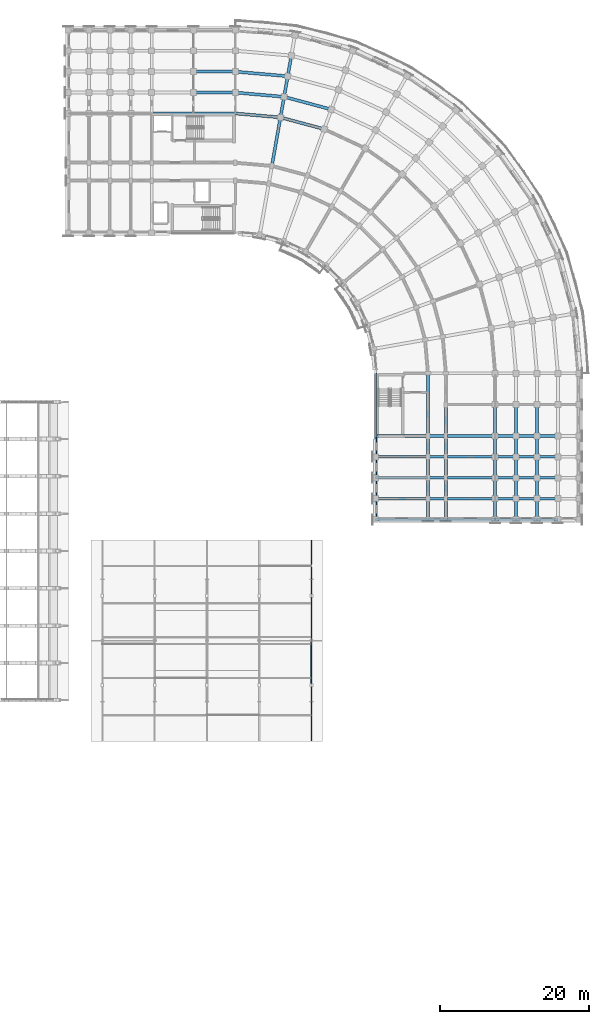
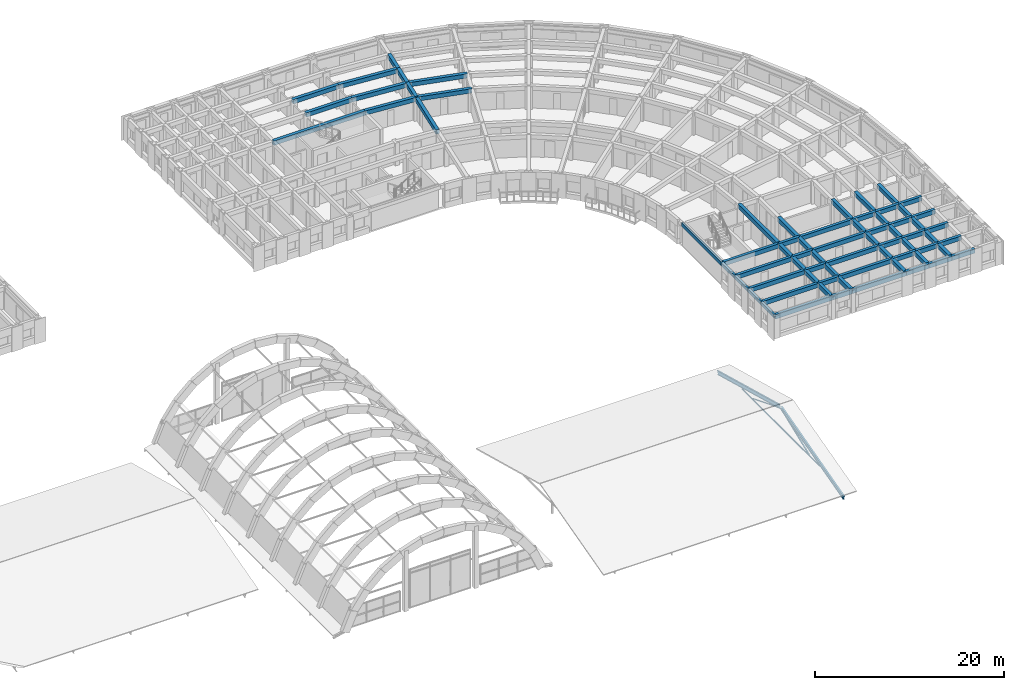
# One storey, part 23 of 76: 74 beams, 3 members.
"""IFC4 building model written with IfcOpenShell, lengths in metres."""

import ifcopenshell
import ifcopenshell.guid

model = None  # the IFC model being written
_history = None  # IfcOwnerHistory: only IFC2X3 demands one
_inside = {}  # id of a spatial element -> (the spatial element, [elements in it])
_under = {}  # id of a project, library or spatial element -> (it, [spatial elements below it])
_declared = {}  # id of a project -> (the project, [libraries it declares])
_typed = {}  # id of a type object -> (the type object, [elements of that type])
_made_of = {}  # id of a material, layer set ... -> (it, [elements and type objects made of it])


def new_model(schema):
    """Start an empty IFC model of exactly this schema.

    Asked for "IFC4X3", IfcOpenShell would pick the latest addendum, in which some entities
    have other attributes; the version numbers below select the first issue.
    IFC2X3 requires an IfcOwnerHistory on every rooted entity: one is made here for all.
    """
    global model, _history
    if schema == "IFC4X3":
        model = ifcopenshell.file(schema_version=(4, 3, 0, 0))
    else:
        model = ifcopenshell.file(schema=schema)
    _inside.clear()
    _under.clear()
    _declared.clear()
    _typed.clear()
    _made_of.clear()
    _history = None
    if model.schema == "IFC2X3":
        org = make("IfcOrganization", Name="unknown")
        user = make(
            "IfcPersonAndOrganization",
            ThePerson=make("IfcPerson", FamilyName="unknown"),
            TheOrganization=org,
        )
        app = make(
            "IfcApplication",
            ApplicationDeveloper=org,
            Version="unknown",
            ApplicationFullName="unknown",
            ApplicationIdentifier="unknown",
        )
        _history = make(
            "IfcOwnerHistory",
            OwningUser=user,
            OwningApplication=app,
            ChangeAction="ADDED",
            CreationDate=0,
        )
    return model


def make(cls, **values):
    """One entity of the class cls with the attributes given. An attribute that is None is left unset."""
    return model.create_entity(
        cls, **{name: value for name, value in values.items() if value is not None}
    )


def rooted(cls, **values):
    """An entity with a GlobalId (a new one), such as an element, a storey or a relation."""
    return make(cls, GlobalId=ifcopenshell.guid.new(), OwnerHistory=_history, **values)


def si_unit(unit_type, name, prefix=None):
    """IfcSIUnit, for example si_unit("LENGTHUNIT", "METRE", prefix="MILLI")."""
    return make("IfcSIUnit", UnitType=unit_type, Prefix=prefix, Name=name)


def assignment(units):
    """IfcUnitAssignment: the units of a project."""
    return None if units is None else make("IfcUnitAssignment", Units=units)


def point(xyz):
    """IfcCartesianPoint."""
    return None if xyz is None else make("IfcCartesianPoint", Coordinates=xyz)


def direction(xyz):
    """IfcDirection."""
    return None if xyz is None else make("IfcDirection", DirectionRatios=xyz)


def frame(location, z_axis=None, x_axis=None):
    """IfcAxis2Placement3D, a coordinate frame: its origin and axes. An axis left out is left unset."""
    return make(
        "IfcAxis2Placement3D",
        Location=point(location),
        Axis=direction(z_axis),
        RefDirection=direction(x_axis),
    )


def frame_2d(location, x_axis=None):
    """IfcAxis2Placement2D, a coordinate frame in the plane: its origin and x axis."""
    return make(
        "IfcAxis2Placement2D", Location=point(location), RefDirection=direction(x_axis)
    )


def origin():
    """The frame at (0, 0, 0) with its axes left unset."""
    return frame((0.0, 0.0, 0.0))


def origin_2d():
    """The frame at (0, 0) in the plane with its x axis left unset."""
    return frame_2d((0.0, 0.0))


def place(relative_to, where):
    """IfcLocalPlacement: puts the frame where relative to a parent placement (None: the world)."""
    return make(
        "IfcLocalPlacement", PlacementRelTo=relative_to, RelativePlacement=where
    )


def context(
    kind, dimensions, precision=None, world=None, true_north=None, identifier=None
):
    """IfcGeometricRepresentationContext, for example the 3D "Model" context."""
    return make(
        "IfcGeometricRepresentationContext",
        ContextIdentifier=identifier,
        ContextType=kind,
        CoordinateSpaceDimension=dimensions,
        Precision=precision,
        WorldCoordinateSystem=world,
        TrueNorth=true_north,
    )


def subcontext(parent, identifier, kind, view, scale=None):
    """IfcGeometricRepresentationSubContext, for example "Body" below "Model"."""
    return make(
        "IfcGeometricRepresentationSubContext",
        ContextIdentifier=identifier,
        ContextType=kind,
        ParentContext=parent,
        TargetScale=scale,
        TargetView=view,
    )


def project(units=None, contexts=None):
    """IfcProject with its units and contexts."""
    return rooted(
        "IfcProject",
        Name="project",
        RepresentationContexts=contexts,
        UnitsInContext=assignment(units),
    )


def spatial(cls, under=None, at=None, **own):
    """A site, building, storey or space (cls), placed at a placement, below another one or the project."""
    s = rooted(cls, ObjectPlacement=at, **own)
    if under is not None:
        _under.setdefault(under.id(), (under, []))[1].append(s)
    return s


def profile(cls, at=None, kind="AREA", **sizes):
    """A parametric profile (cls). Its sizes go by their IFC names, for example OverallWidth=200.0."""
    return make(cls, ProfileType=kind, Position=at, **sizes)


def rectangle(**sizes):
    """IfcRectangleProfileDef."""
    return profile("IfcRectangleProfileDef", **sizes)


def hollow_rectangle(**sizes):
    """IfcRectangleHollowProfileDef."""
    return profile("IfcRectangleHollowProfileDef", **sizes)


def hollow_circle(**sizes):
    """IfcCircleHollowProfileDef."""
    return profile("IfcCircleHollowProfileDef", **sizes)


def i_section(**sizes):
    """IfcIShapeProfileDef."""
    return profile("IfcIShapeProfileDef", **sizes)


def extrude(swept, where, along, depth):
    """IfcExtrudedAreaSolid: the profile swept, set in the frame where, extruded along a direction by depth."""
    return make(
        "IfcExtrudedAreaSolid",
        SweptArea=swept,
        Position=where,
        ExtrudedDirection=direction(along),
        Depth=depth,
    )


def shape(context_of_items, identifier, shape_type, items):
    """IfcShapeRepresentation: the items that make up one representation, for example the "Body"."""
    return make(
        "IfcShapeRepresentation",
        ContextOfItems=context_of_items,
        RepresentationIdentifier=identifier,
        RepresentationType=shape_type,
        Items=items,
    )


def material(Name=None, Category=None):
    """IfcMaterial."""
    return make("IfcMaterial", Name=Name, Category=Category)


def material_profile(
    of_material, cross_section, Name=None, Category=None, Priority=None
):
    """IfcMaterialProfile: a cross section and its material."""
    return make(
        "IfcMaterialProfile",
        Name=Name,
        Material=of_material,
        Profile=cross_section,
        Priority=Priority,
        Category=Category,
    )


def profile_set(profiles, Name=None, composite=None):
    """IfcMaterialProfileSet."""
    return make(
        "IfcMaterialProfileSet",
        Name=Name,
        MaterialProfiles=profiles,
        CompositeProfile=composite,
    )


def made_of(thing, what):
    """Note that an element or type object is made of a material, layer set ...; save() writes the relation."""
    if what is not None:
        _made_of.setdefault(what.id(), (what, []))[1].append(thing)
    return thing


def type_object(cls, material=None, **own):
    """A type object (cls), such as IfcWallType, which elements share."""
    return made_of(rooted(cls, **own), material)


def element(
    cls,
    number,
    at=None,
    inside=None,
    cuts=None,
    type_object=None,
    material=None,
    context=None,
    identifier="Body",
    shape_type=None,
    held_by="IfcProductDefinitionShape",
    body=None,
    shapes=None,
    **own,
):
    """One element of the class cls, such as IfcWall. Its Tag is "e" and its number.

    at: its placement. inside: the storey or other place that contains it. cuts: it is an
    opening in that element (IfcRelVoidsElement). A single representation is given by context,
    identifier, shape_type and body (its items); several are given by shapes. held_by: the class
    of the entity that holds the representations. save() writes the other relations.
    """
    e = rooted(cls, Tag="e%d" % number, ObjectPlacement=at, **own)
    if body is not None:
        shapes = [shape(context, identifier, shape_type, body)]
    if shapes is not None:
        e.Representation = make(held_by, Representations=shapes)
    if inside is not None:
        _inside.setdefault(inside.id(), (inside, []))[1].append(e)
    if cuts is not None:
        rooted(
            "IfcRelVoidsElement", RelatingBuildingElement=cuts, RelatedOpeningElement=e
        )
    if type_object is not None:
        _typed.setdefault(type_object.id(), (type_object, []))[1].append(e)
    return made_of(e, material)


def aggregate(whole, parts):
    """IfcRelAggregates: a whole, such as a stair, and the parts it consists of."""
    return rooted("IfcRelAggregates", RelatingObject=whole, RelatedObjects=parts)


def save(model, path):
    """Write the relations noted so far, then the file.

    IfcRelAggregates (storeys below a building ...), IfcRelContainedInSpatialStructure (elements
    in a storey), IfcRelDefinesByType, IfcRelAssociatesMaterial and IfcRelDeclares: one each for
    every whole, place, type object, material and project.
    """
    for whole, parts in _under.values():
        aggregate(whole, parts)
    for where, things in _inside.values():
        rooted(
            "IfcRelContainedInSpatialStructure",
            RelatedElements=things,
            RelatingStructure=where,
        )
    for kind, things in _typed.values():
        rooted("IfcRelDefinesByType", RelatedObjects=things, RelatingType=kind)
    for what, things in _made_of.values():
        rooted("IfcRelAssociatesMaterial", RelatedObjects=things, RelatingMaterial=what)
    for by, libraries in _declared.values():
        rooted("IfcRelDeclares", RelatingContext=by, RelatedDefinitions=libraries)
    model.write(path)


model = new_model("IFC4")

# Units and contexts
model_context = context("Model", 3, precision=1e-05, world=origin(), true_north=direction((0.0, 1.0)))
body_context = subcontext(model_context, "Body", "Model", "MODEL_VIEW")
ifc_project = project(units=[si_unit("LENGTHUNIT", "METRE"), si_unit("AREAUNIT", "SQUARE_METRE"), si_unit("VOLUMEUNIT", "CUBIC_METRE"), si_unit("PLANEANGLEUNIT", "RADIAN"), si_unit("MASSUNIT", "GRAM", prefix="KILO")], contexts=[model_context])

# Site, building, storey
site_placement = place(None, origin())
site = spatial("IfcSite", under=ifc_project, at=site_placement, CompositionType="ELEMENT")
building_placement = place(site_placement, origin())
building = spatial("IfcBuilding", under=site, at=building_placement, Name="Kiranvali Square Residences", CompositionType="ELEMENT")
storey_placement = place(building_placement, frame((0.0, 0.0, 8.699951171875)))
storey = spatial("IfcBuildingStorey", under=building, at=storey_placement, Name="L02", CompositionType="ELEMENT", Elevation=8.699951171875)

# Beams
ifc_material_1 = material(Name="Concrete M40 (40 MPa)", Category="concrete")
ifc_material_profile_1 = material_profile(ifc_material_1, rectangle(XDim=0.35009765625, YDim=0.550048828125, at=origin_2d()), Name="RC 350x550")
ifc_profile_set_1 = profile_set([ifc_material_profile_1], Name="Concrete M40 (40 MPa)")
beam_type_1 = type_object("IfcBeamType", Name="BM-M40-350x550", PredefinedType="BEAM", material=ifc_profile_set_1)
beam_1_placement = place(storey_placement, frame((138.60009765625, 79.39990234375, 2.655029296875), z_axis=(1.0, 0.0, 0.0), x_axis=(0.0, 1.0, 0.0)))
element("IfcBeam", 1, at=beam_1_placement, inside=storey, type_object=beam_type_1, Name="L02 beam BM-B-L02-A2T1-01", PredefinedType="BEAM", context=body_context, shape_type="SweptSolid", body=[
    extrude(rectangle(XDim=0.35009765625, YDim=0.550048828125, at=origin_2d()), origin(), (0.0, 0.0, 1.0), 7.0),
])
beam_2_placement = place(storey_placement, frame((145.60009765625, 79.39990234375, 2.655029296875), z_axis=(1.0, 0.0, 0.0), x_axis=(0.0, 1.0, 0.0)))
element("IfcBeam", 2, at=beam_2_placement, inside=storey, type_object=beam_type_1, Name="L02 beam BM-B-L02-A2T1-12", PredefinedType="BEAM", context=body_context, shape_type="SweptSolid", body=[
    extrude(rectangle(XDim=0.35009765625, YDim=0.550048828125, at=origin_2d()), origin(), (0.0, 0.0, 1.0), 2.39990234375),
])
beam_3_placement = place(storey_placement, frame((148.0, 79.39990234375, 2.655029296875), z_axis=(1.0, 0.0, 0.0), x_axis=(0.0, 1.0, 0.0)))
element("IfcBeam", 3, at=beam_3_placement, inside=storey, type_object=beam_type_1, Name="L02 beam BM-B-L02-A2T1-23", PredefinedType="BEAM", context=body_context, shape_type="SweptSolid", body=[
    extrude(rectangle(XDim=0.35009765625, YDim=0.550048828125, at=origin_2d()), origin(), (0.0, 0.0, 1.0), 6.60009765625),
])
beam_4_placement = place(storey_placement, frame((154.60009765625, 79.39990234375, 2.655029296875), z_axis=(1.0, 0.0, 0.0), x_axis=(0.0, 1.0, 0.0)))
element("IfcBeam", 4, at=beam_4_placement, inside=storey, type_object=beam_type_1, Name="L02 beam BM-B-L02-A2T1-34", PredefinedType="BEAM", context=body_context, shape_type="SweptSolid", body=[
    extrude(rectangle(XDim=0.35009765625, YDim=0.550048828125, at=origin_2d()), origin(), (0.0, 0.0, 1.0), 2.7998046875),
])
for number, where, z_axis, x_axis, name in (
    (5, (157.39990234375, 79.39990234375, 2.655029296875), (1.0, 0.0, 0.0), (0.0, 1.0, 0.0), "L02 beam BM-B-L02-A2T1-45"),
    (6, (160.199951171875, 79.39990234375, 2.655029296875), (1.0, 0.0, 0.0), (0.0, 1.0, 0.0), "L02 beam BM-B-L02-A2T1-56"),
):
    element("IfcBeam", number, at=place(storey_placement, frame(where, z_axis=z_axis, x_axis=x_axis)), inside=storey, type_object=beam_type_1, Name=name, PredefinedType="BEAM", context=body_context, shape_type="SweptSolid", body=[
        extrude(rectangle(XDim=0.35009765625, YDim=0.550048828125, at=origin_2d()), origin(), (0.0, 0.0, 1.0), 2.800048828125),
    ])
beam_5_placement = place(storey_placement, frame((138.60009765625, 76.60009765625, 2.655029296875), z_axis=(1.0, 0.0, 0.0), x_axis=(0.0, 1.0, 0.0)))
element("IfcBeam", 7, at=beam_5_placement, inside=storey, type_object=beam_type_1, Name="L02 beam BM-B-L02-A2T2-01", PredefinedType="BEAM", context=body_context, shape_type="SweptSolid", body=[
    extrude(rectangle(XDim=0.35009765625, YDim=0.550048828125, at=origin_2d()), origin(), (0.0, 0.0, 1.0), 7.0),
])
beam_6_placement = place(storey_placement, frame((145.60009765625, 76.60009765625, 2.655029296875), z_axis=(1.0, 0.0, 0.0), x_axis=(0.0, 1.0, 0.0)))
element("IfcBeam", 8, at=beam_6_placement, inside=storey, type_object=beam_type_1, Name="L02 beam BM-B-L02-A2T2-12", PredefinedType="BEAM", context=body_context, shape_type="SweptSolid", body=[
    extrude(rectangle(XDim=0.35009765625, YDim=0.550048828125, at=origin_2d()), origin(), (0.0, 0.0, 1.0), 2.39990234375),
])
beam_7_placement = place(storey_placement, frame((148.0, 76.60009765625, 2.655029296875), z_axis=(1.0, 0.0, 0.0), x_axis=(0.0, 1.0, 0.0)))
element("IfcBeam", 9, at=beam_7_placement, inside=storey, type_object=beam_type_1, Name="L02 beam BM-B-L02-A2T2-23", PredefinedType="BEAM", context=body_context, shape_type="SweptSolid", body=[
    extrude(rectangle(XDim=0.35009765625, YDim=0.550048828125, at=origin_2d()), origin(), (0.0, 0.0, 1.0), 6.60009765625),
])
beam_8_placement = place(storey_placement, frame((154.60009765625, 76.60009765625, 2.655029296875), z_axis=(1.0, 0.0, 0.0), x_axis=(0.0, 1.0, 0.0)))
element("IfcBeam", 10, at=beam_8_placement, inside=storey, type_object=beam_type_1, Name="L02 beam BM-B-L02-A2T2-34", PredefinedType="BEAM", context=body_context, shape_type="SweptSolid", body=[
    extrude(rectangle(XDim=0.35009765625, YDim=0.550048828125, at=origin_2d()), origin(), (0.0, 0.0, 1.0), 2.7998046875),
])
for number, where, z_axis, x_axis, name in (
    (11, (157.39990234375, 76.60009765625, 2.655029296875), (1.0, 0.0, 0.0), (0.0, 1.0, 0.0), "L02 beam BM-B-L02-A2T2-45"),
    (12, (160.199951171875, 76.60009765625, 2.655029296875), (1.0, 0.0, 0.0), (0.0, 1.0, 0.0), "L02 beam BM-B-L02-A2T2-56"),
):
    element("IfcBeam", number, at=place(storey_placement, frame(where, z_axis=z_axis, x_axis=x_axis)), inside=storey, type_object=beam_type_1, Name=name, PredefinedType="BEAM", context=body_context, shape_type="SweptSolid", body=[
        extrude(rectangle(XDim=0.35009765625, YDim=0.550048828125, at=origin_2d()), origin(), (0.0, 0.0, 1.0), 2.800048828125),
    ])
beam_9_placement = place(storey_placement, frame((138.60009765625, 73.800048828125, 2.655029296875), z_axis=(1.0, 0.0, 0.0), x_axis=(0.0, 1.0, 0.0)))
element("IfcBeam", 13, at=beam_9_placement, inside=storey, type_object=beam_type_1, Name="L02 beam BM-B-L02-A2T3-01", PredefinedType="BEAM", context=body_context, shape_type="SweptSolid", body=[
    extrude(rectangle(XDim=0.35009765625, YDim=0.550048828125, at=origin_2d()), origin(), (0.0, 0.0, 1.0), 7.0),
])
beam_10_placement = place(storey_placement, frame((145.60009765625, 73.800048828125, 2.655029296875), z_axis=(1.0, 0.0, 0.0), x_axis=(0.0, 1.0, 0.0)))
element("IfcBeam", 14, at=beam_10_placement, inside=storey, type_object=beam_type_1, Name="L02 beam BM-B-L02-A2T3-12", PredefinedType="BEAM", context=body_context, shape_type="SweptSolid", body=[
    extrude(rectangle(XDim=0.35009765625, YDim=0.550048828125, at=origin_2d()), origin(), (0.0, 0.0, 1.0), 2.39990234375),
])
beam_11_placement = place(storey_placement, frame((148.0, 73.800048828125, 2.655029296875), z_axis=(1.0, 0.0, 0.0), x_axis=(0.0, 1.0, 0.0)))
element("IfcBeam", 15, at=beam_11_placement, inside=storey, type_object=beam_type_1, Name="L02 beam BM-B-L02-A2T3-23", PredefinedType="BEAM", context=body_context, shape_type="SweptSolid", body=[
    extrude(rectangle(XDim=0.35009765625, YDim=0.550048828125, at=origin_2d()), origin(), (0.0, 0.0, 1.0), 6.60009765625),
])
beam_12_placement = place(storey_placement, frame((154.60009765625, 73.800048828125, 2.655029296875), z_axis=(1.0, 0.0, 0.0), x_axis=(0.0, 1.0, 0.0)))
element("IfcBeam", 16, at=beam_12_placement, inside=storey, type_object=beam_type_1, Name="L02 beam BM-B-L02-A2T3-34", PredefinedType="BEAM", context=body_context, shape_type="SweptSolid", body=[
    extrude(rectangle(XDim=0.35009765625, YDim=0.550048828125, at=origin_2d()), origin(), (0.0, 0.0, 1.0), 2.7998046875),
])
for number, where, z_axis, x_axis, name in (
    (17, (157.39990234375, 73.800048828125, 2.655029296875), (1.0, 0.0, 0.0), (0.0, 1.0, 0.0), "L02 beam BM-B-L02-A2T3-45"),
    (18, (160.199951171875, 73.800048828125, 2.655029296875), (1.0, 0.0, 0.0), (0.0, 1.0, 0.0), "L02 beam BM-B-L02-A2T3-56"),
):
    element("IfcBeam", number, at=place(storey_placement, frame(where, z_axis=z_axis, x_axis=x_axis)), inside=storey, type_object=beam_type_1, Name=name, PredefinedType="BEAM", context=body_context, shape_type="SweptSolid", body=[
        extrude(rectangle(XDim=0.35009765625, YDim=0.550048828125, at=origin_2d()), origin(), (0.0, 0.0, 1.0), 2.800048828125),
    ])
beam_13_placement = place(storey_placement, frame((138.60009765625, 71.0, 2.655029296875), z_axis=(1.0, 0.0, 0.0), x_axis=(0.0, 1.0, 0.0)))
element("IfcBeam", 19, at=beam_13_placement, inside=storey, type_object=beam_type_1, Name="L02 beam BM-B-L02-A2T4-01", PredefinedType="BEAM", context=body_context, shape_type="SweptSolid", body=[
    extrude(rectangle(XDim=0.35009765625, YDim=0.550048828125, at=origin_2d()), origin(), (0.0, 0.0, 1.0), 7.0),
])
beam_14_placement = place(storey_placement, frame((145.60009765625, 71.0, 2.655029296875), z_axis=(1.0, 0.0, 0.0), x_axis=(0.0, 1.0, 0.0)))
element("IfcBeam", 20, at=beam_14_placement, inside=storey, type_object=beam_type_1, Name="L02 beam BM-B-L02-A2T4-12", PredefinedType="BEAM", context=body_context, shape_type="SweptSolid", body=[
    extrude(rectangle(XDim=0.35009765625, YDim=0.550048828125, at=origin_2d()), origin(), (0.0, 0.0, 1.0), 2.39990234375),
])
beam_15_placement = place(storey_placement, frame((148.0, 71.0, 2.655029296875), z_axis=(1.0, 0.0, 0.0), x_axis=(0.0, 1.0, 0.0)))
element("IfcBeam", 21, at=beam_15_placement, inside=storey, type_object=beam_type_1, Name="L02 beam BM-B-L02-A2T4-23", PredefinedType="BEAM", context=body_context, shape_type="SweptSolid", body=[
    extrude(rectangle(XDim=0.35009765625, YDim=0.550048828125, at=origin_2d()), origin(), (0.0, 0.0, 1.0), 6.60009765625),
])
beam_16_placement = place(storey_placement, frame((154.60009765625, 71.0, 2.655029296875), z_axis=(1.0, 0.0, 0.0), x_axis=(0.0, 1.0, 0.0)))
element("IfcBeam", 22, at=beam_16_placement, inside=storey, type_object=beam_type_1, Name="L02 beam BM-B-L02-A2T4-34", PredefinedType="BEAM", context=body_context, shape_type="SweptSolid", body=[
    extrude(rectangle(XDim=0.35009765625, YDim=0.550048828125, at=origin_2d()), origin(), (0.0, 0.0, 1.0), 2.7998046875),
])
for number, where, z_axis, x_axis, name in (
    (23, (157.39990234375, 71.0, 2.655029296875), (1.0, 0.0, 0.0), (0.0, 1.0, 0.0), "L02 beam BM-B-L02-A2T4-45"),
    (24, (160.199951171875, 71.0, 2.655029296875), (1.0, 0.0, 0.0), (0.0, 1.0, 0.0), "L02 beam BM-B-L02-A2T4-56"),
):
    element("IfcBeam", number, at=place(storey_placement, frame(where, z_axis=z_axis, x_axis=x_axis)), inside=storey, type_object=beam_type_1, Name=name, PredefinedType="BEAM", context=body_context, shape_type="SweptSolid", body=[
        extrude(rectangle(XDim=0.35009765625, YDim=0.550048828125, at=origin_2d()), origin(), (0.0, 0.0, 1.0), 2.800048828125),
    ])
beam_17_placement = place(storey_placement, frame((138.60009765625, 68.199951171875, 2.655029296875), z_axis=(1.0, 0.0, 0.0), x_axis=(0.0, 1.0, 0.0)))
element("IfcBeam", 25, at=beam_17_placement, inside=storey, type_object=beam_type_1, Name="L02 beam BM-B-L02-A2T5-01", PredefinedType="BEAM", context=body_context, shape_type="SweptSolid", body=[
    extrude(rectangle(XDim=0.35009765625, YDim=0.550048828125, at=origin_2d()), origin(), (0.0, 0.0, 1.0), 7.0),
])
beam_18_placement = place(storey_placement, frame((145.60009765625, 68.199951171875, 2.655029296875), z_axis=(1.0, 0.0, 0.0), x_axis=(0.0, 1.0, 0.0)))
element("IfcBeam", 26, at=beam_18_placement, inside=storey, type_object=beam_type_1, Name="L02 beam BM-B-L02-A2T5-12", PredefinedType="BEAM", context=body_context, shape_type="SweptSolid", body=[
    extrude(rectangle(XDim=0.35009765625, YDim=0.550048828125, at=origin_2d()), origin(), (0.0, 0.0, 1.0), 2.39990234375),
])
beam_19_placement = place(storey_placement, frame((148.0, 68.199951171875, 2.655029296875), z_axis=(1.0, 0.0, 0.0), x_axis=(0.0, 1.0, 0.0)))
element("IfcBeam", 27, at=beam_19_placement, inside=storey, type_object=beam_type_1, Name="L02 beam BM-B-L02-A2T5-23", PredefinedType="BEAM", context=body_context, shape_type="SweptSolid", body=[
    extrude(rectangle(XDim=0.35009765625, YDim=0.550048828125, at=origin_2d()), origin(), (0.0, 0.0, 1.0), 6.60009765625),
])
beam_20_placement = place(storey_placement, frame((154.60009765625, 68.199951171875, 2.655029296875), z_axis=(1.0, 0.0, 0.0), x_axis=(0.0, 1.0, 0.0)))
element("IfcBeam", 28, at=beam_20_placement, inside=storey, type_object=beam_type_1, Name="L02 beam BM-B-L02-A2T5-34", PredefinedType="BEAM", context=body_context, shape_type="SweptSolid", body=[
    extrude(rectangle(XDim=0.35009765625, YDim=0.550048828125, at=origin_2d()), origin(), (0.0, 0.0, 1.0), 2.7998046875),
])
for number, where, z_axis, x_axis, name in (
    (29, (157.39990234375, 68.199951171875, 2.655029296875), (1.0, 0.0, 0.0), (0.0, 1.0, 0.0), "L02 beam BM-B-L02-A2T5-45"),
    (30, (160.199951171875, 68.199951171875, 2.655029296875), (1.0, 0.0, 0.0), (0.0, 1.0, 0.0), "L02 beam BM-B-L02-A2T5-56"),
):
    element("IfcBeam", number, at=place(storey_placement, frame(where, z_axis=z_axis, x_axis=x_axis)), inside=storey, type_object=beam_type_1, Name=name, PredefinedType="BEAM", context=body_context, shape_type="SweptSolid", body=[
        extrude(rectangle(XDim=0.35009765625, YDim=0.550048828125, at=origin_2d()), origin(), (0.0, 0.0, 1.0), 2.800048828125),
    ])
ifc_material_2 = material(Name="Concrete M45 (45 MPa)", Category="concrete")
ifc_material_profile_2 = material_profile(ifc_material_2, rectangle(XDim=0.39990234375, YDim=0.550048828125, at=origin_2d()), Name="RC 400x550")
ifc_profile_set_2 = profile_set([ifc_material_profile_2], Name="Concrete M45 (45 MPa)")
beam_type_2 = type_object("IfcBeamType", Name="BM-M45-400x550", PredefinedType="BEAM", material=ifc_profile_set_2)
beam_21_placement = place(storey_placement, frame((119.800048828125, 122.60009765625, 2.655029296875), z_axis=(0.996193018494, -0.087174938512, 0.0), x_axis=(0.087174938512, 0.996193018494, 0.0)))
element("IfcBeam", 31, at=beam_21_placement, inside=storey, type_object=beam_type_2, Name="L02 beam BM-B-L02-C00-R3", PredefinedType="BEAM", context=body_context, shape_type="SweptSolid", body=[
    extrude(rectangle(XDim=0.39990234375, YDim=0.550048828125, at=origin_2d()), origin(), (0.0, 0.0, 1.0), 6.066162109375),
])
beam_22_placement = place(storey_placement, frame((119.800048828125, 125.39990234375, 2.655029296875), z_axis=(0.996196991902, -0.0871295204, 0.0), x_axis=(0.0871295204, 0.996196991902, 0.0)))
element("IfcBeam", 32, at=beam_22_placement, inside=storey, type_object=beam_type_2, Name="L02 beam BM-B-L02-C00-R4", PredefinedType="BEAM", context=body_context, shape_type="SweptSolid", body=[
    extrude(rectangle(XDim=0.39990234375, YDim=0.550048828125, at=origin_2d()), origin(), (0.0, 0.0, 1.0), 6.553955078125),
])
beam_23_placement = place(storey_placement, frame((119.800048828125, 128.199951171875, 2.655029296875), z_axis=(0.996194658198, -0.087156198737, 0.0), x_axis=(0.087156198737, 0.996194658198, 0.0)))
element("IfcBeam", 33, at=beam_23_placement, inside=storey, type_object=beam_type_2, Name="L02 beam BM-B-L02-C00-R5", PredefinedType="BEAM", context=body_context, shape_type="SweptSolid", body=[
    extrude(rectangle(XDim=0.39990234375, YDim=0.550048828125, at=origin_2d()), origin(), (0.0, 0.0, 1.0), 7.042236328125),
])
beam_24_placement = place(storey_placement, frame((125.843017578125, 122.0712890625, 2.655029296875), z_axis=(0.965923618901, -0.258827283048, 0.0), x_axis=(0.258827283048, 0.965923618901, 0.0)))
element("IfcBeam", 34, at=beam_24_placement, inside=storey, type_object=beam_type_2, Name="L02 beam BM-B-L02-C01-R3", PredefinedType="BEAM", context=body_context, shape_type="SweptSolid", body=[
    extrude(rectangle(XDim=0.39990234375, YDim=0.550048828125, at=origin_2d()), origin(), (0.0, 0.0, 1.0), 6.066162109375),
])
beam_25_placement = place(storey_placement, frame((126.3291015625, 124.828857421875, 2.655029296875), z_axis=(0.965918287583, -0.258847178297, 0.0), x_axis=(0.258847178297, 0.965918287583, 0.0)))
element("IfcBeam", 35, at=beam_25_placement, inside=storey, type_object=beam_type_2, Name="L02 beam BM-B-L02-C01-R4", PredefinedType="BEAM", context=body_context, shape_type="SweptSolid", body=[
    extrude(rectangle(XDim=0.39990234375, YDim=0.550048828125, at=origin_2d()), origin(), (0.0, 0.0, 1.0), 6.55419921875),
])
beam_26_placement = place(storey_placement, frame((124.69677734375, 115.571533203125, 2.655029296875), z_axis=(0.173671381499, 0.984803661269, 0.0), x_axis=(-0.984803661269, 0.173671381499, 0.0)))
element("IfcBeam", 36, at=beam_26_placement, inside=storey, type_object=beam_type_2, Name="L02 beam BM-B-L02-RAD01-23", PredefinedType="BEAM", context=body_context, shape_type="SweptSolid", body=[
    extrude(rectangle(XDim=0.39990234375, YDim=0.550048828125, at=origin_2d()), origin(), (0.0, 0.0, 1.0), 6.60009765625),
])
beam_27_placement = place(storey_placement, frame((125.843017578125, 122.0712890625, 2.655029296875), z_axis=(0.173596320392, 0.984816895441, 0.0), x_axis=(-0.984816895441, 0.173596320392, 0.0)))
element("IfcBeam", 37, at=beam_27_placement, inside=storey, type_object=beam_type_2, Name="L02 beam BM-B-L02-RAD01-34", PredefinedType="BEAM", context=body_context, shape_type="SweptSolid", body=[
    extrude(rectangle(XDim=0.39990234375, YDim=0.550048828125, at=origin_2d()), origin(), (0.0, 0.0, 1.0), 2.800048828125),
])
beam_28_placement = place(storey_placement, frame((126.3291015625, 124.828857421875, 2.655029296875), z_axis=(0.173695795656, 0.984799355489, 0.0), x_axis=(-0.984799355489, 0.173695795656, 0.0)))
element("IfcBeam", 38, at=beam_28_placement, inside=storey, type_object=beam_type_2, Name="L02 beam BM-B-L02-RAD01-45", PredefinedType="BEAM", context=body_context, shape_type="SweptSolid", body=[
    extrude(rectangle(XDim=0.39990234375, YDim=0.550048828125, at=origin_2d()), origin(), (0.0, 0.0, 1.0), 2.7998046875),
])
beam_29_placement = place(storey_placement, frame((126.8154296875, 127.586181640625, 2.655029296875), z_axis=(0.173596320392, 0.984816895441, 0.0), x_axis=(-0.984816895441, 0.173596320392, 0.0)))
element("IfcBeam", 39, at=beam_29_placement, inside=storey, type_object=beam_type_2, Name="L02 beam BM-B-L02-RAD01-56", PredefinedType="BEAM", context=body_context, shape_type="SweptSolid", body=[
    extrude(rectangle(XDim=0.39990234375, YDim=0.550048828125, at=origin_2d()), origin(), (0.0, 0.0, 1.0), 2.800048828125),
])
beam_30_placement = place(storey_placement, frame((119.800048828125, 122.60009765625, 2.655029296875), z_axis=(-1.0, 0.0, 0.0), x_axis=(0.0, -1.0, 0.0)))
element("IfcBeam", 40, at=beam_30_placement, inside=storey, type_object=beam_type_2, Name="L02 beam BM-B-L02-A1U0-R3", PredefinedType="BEAM", context=body_context, shape_type="SweptSolid", body=[
    extrude(rectangle(XDim=0.39990234375, YDim=0.550048828125, at=origin_2d()), origin(), (0.0, 0.0, 1.0), 11.199951171875),
])
for number, where, z_axis, x_axis, name in (
    (41, (119.800048828125, 125.39990234375, 2.655029296875), (-1.0, 0.0, 0.0), (0.0, -1.0, 0.0), "L02 beam BM-B-L02-A1U0-R4"),
    (42, (119.800048828125, 128.199951171875, 2.655029296875), (-1.0, 0.0, 0.0), (0.0, -1.0, 0.0), "L02 beam BM-B-L02-A1U0-R5"),
):
    element("IfcBeam", number, at=place(storey_placement, frame(where, z_axis=z_axis, x_axis=x_axis)), inside=storey, type_object=beam_type_2, Name=name, PredefinedType="BEAM", context=body_context, shape_type="SweptSolid", body=[
        extrude(rectangle(XDim=0.39990234375, YDim=0.550048828125, at=origin_2d()), origin(), (0.0, 0.0, 1.0), 5.60009765625),
    ])
beam_31_placement = place(storey_placement, frame((145.60009765625, 87.800048828125, 2.655029296875), z_axis=(0.0, -1.0, 0.0), x_axis=(1.0, 0.0, 0.0)))
element("IfcBeam", 43, at=beam_31_placement, inside=storey, type_object=beam_type_2, Name="L02 beam BM-B-L02-A2V0-R1", PredefinedType="BEAM", context=body_context, shape_type="SweptSolid", body=[
    extrude(rectangle(XDim=0.39990234375, YDim=0.550048828125, at=origin_2d()), origin(), (0.0, 0.0, 1.0), 8.400146484375),
])
beam_32_placement = place(storey_placement, frame((145.60009765625, 79.39990234375, 2.655029296875), z_axis=(0.0, -1.0, 0.0), x_axis=(1.0, 0.0, 0.0)))
element("IfcBeam", 44, at=beam_32_placement, inside=storey, type_object=beam_type_2, Name="L02 beam BM-B-L02-A2V1-R1", PredefinedType="BEAM", context=body_context, shape_type="SweptSolid", body=[
    extrude(rectangle(XDim=0.39990234375, YDim=0.550048828125, at=origin_2d()), origin(), (0.0, 0.0, 1.0), 2.7998046875),
])
for number, where, z_axis, x_axis, name in (
    (45, (145.60009765625, 76.60009765625, 2.655029296875), (0.0, -1.0, 0.0), (1.0, 0.0, 0.0), "L02 beam BM-B-L02-A2V2-R1"),
    (46, (145.60009765625, 73.800048828125, 2.655029296875), (0.0, -1.0, 0.0), (1.0, 0.0, 0.0), "L02 beam BM-B-L02-A2V3-R1"),
    (47, (145.60009765625, 71.0, 2.655029296875), (0.0, -1.0, 0.0), (1.0, 0.0, 0.0), "L02 beam BM-B-L02-A2V4-R1"),
):
    element("IfcBeam", number, at=place(storey_placement, frame(where, z_axis=z_axis, x_axis=x_axis)), inside=storey, type_object=beam_type_2, Name=name, PredefinedType="BEAM", context=body_context, shape_type="SweptSolid", body=[
        extrude(rectangle(XDim=0.39990234375, YDim=0.550048828125, at=origin_2d()), origin(), (0.0, 0.0, 1.0), 2.800048828125),
    ])
beam_33_placement = place(storey_placement, frame((148.0, 83.60009765625, 2.655029296875), z_axis=(0.0, -1.0, 0.0), x_axis=(1.0, 0.0, 0.0)))
element("IfcBeam", 48, at=beam_33_placement, inside=storey, type_object=beam_type_2, Name="L02 beam BM-B-L02-A2V1-R2", PredefinedType="BEAM", context=body_context, shape_type="SweptSolid", body=[
    extrude(rectangle(XDim=0.39990234375, YDim=0.550048828125, at=origin_2d()), origin(), (0.0, 0.0, 1.0), 4.2001953125),
])
beam_34_placement = place(storey_placement, frame((148.0, 79.39990234375, 2.655029296875), z_axis=(0.0, -1.0, 0.0), x_axis=(1.0, 0.0, 0.0)))
element("IfcBeam", 49, at=beam_34_placement, inside=storey, type_object=beam_type_2, Name="L02 beam BM-B-L02-A2V2-R2", PredefinedType="BEAM", context=body_context, shape_type="SweptSolid", body=[
    extrude(rectangle(XDim=0.39990234375, YDim=0.550048828125, at=origin_2d()), origin(), (0.0, 0.0, 1.0), 2.7998046875),
])
for number, where, z_axis, x_axis, name in (
    (50, (148.0, 76.60009765625, 2.655029296875), (0.0, -1.0, 0.0), (1.0, 0.0, 0.0), "L02 beam BM-B-L02-A2V3-R2"),
    (51, (148.0, 73.800048828125, 2.655029296875), (0.0, -1.0, 0.0), (1.0, 0.0, 0.0), "L02 beam BM-B-L02-A2V4-R2"),
    (52, (148.0, 71.0, 2.655029296875), (0.0, -1.0, 0.0), (1.0, 0.0, 0.0), "L02 beam BM-B-L02-A2V5-R2"),
):
    element("IfcBeam", number, at=place(storey_placement, frame(where, z_axis=z_axis, x_axis=x_axis)), inside=storey, type_object=beam_type_2, Name=name, PredefinedType="BEAM", context=body_context, shape_type="SweptSolid", body=[
        extrude(rectangle(XDim=0.39990234375, YDim=0.550048828125, at=origin_2d()), origin(), (0.0, 0.0, 1.0), 2.800048828125),
    ])
beam_35_placement = place(storey_placement, frame((154.60009765625, 83.60009765625, 2.655029296875), z_axis=(0.0, -1.0, 0.0), x_axis=(1.0, 0.0, 0.0)))
element("IfcBeam", 53, at=beam_35_placement, inside=storey, type_object=beam_type_2, Name="L02 beam BM-B-L02-A2V1-R3", PredefinedType="BEAM", context=body_context, shape_type="SweptSolid", body=[
    extrude(rectangle(XDim=0.39990234375, YDim=0.550048828125, at=origin_2d()), origin(), (0.0, 0.0, 1.0), 4.2001953125),
])
beam_36_placement = place(storey_placement, frame((154.60009765625, 79.39990234375, 2.655029296875), z_axis=(0.0, -1.0, 0.0), x_axis=(1.0, 0.0, 0.0)))
element("IfcBeam", 54, at=beam_36_placement, inside=storey, type_object=beam_type_2, Name="L02 beam BM-B-L02-A2V2-R3", PredefinedType="BEAM", context=body_context, shape_type="SweptSolid", body=[
    extrude(rectangle(XDim=0.39990234375, YDim=0.550048828125, at=origin_2d()), origin(), (0.0, 0.0, 1.0), 2.7998046875),
])
for number, where, z_axis, x_axis, name in (
    (55, (154.60009765625, 76.60009765625, 2.655029296875), (0.0, -1.0, 0.0), (1.0, 0.0, 0.0), "L02 beam BM-B-L02-A2V3-R3"),
    (56, (154.60009765625, 73.800048828125, 2.655029296875), (0.0, -1.0, 0.0), (1.0, 0.0, 0.0), "L02 beam BM-B-L02-A2V4-R3"),
    (57, (154.60009765625, 71.0, 2.655029296875), (0.0, -1.0, 0.0), (1.0, 0.0, 0.0), "L02 beam BM-B-L02-A2V5-R3"),
):
    element("IfcBeam", number, at=place(storey_placement, frame(where, z_axis=z_axis, x_axis=x_axis)), inside=storey, type_object=beam_type_2, Name=name, PredefinedType="BEAM", context=body_context, shape_type="SweptSolid", body=[
        extrude(rectangle(XDim=0.39990234375, YDim=0.550048828125, at=origin_2d()), origin(), (0.0, 0.0, 1.0), 2.800048828125),
    ])
beam_37_placement = place(storey_placement, frame((157.39990234375, 83.60009765625, 2.655029296875), z_axis=(0.0, -1.0, 0.0), x_axis=(1.0, 0.0, 0.0)))
element("IfcBeam", 58, at=beam_37_placement, inside=storey, type_object=beam_type_2, Name="L02 beam BM-B-L02-A2V1-R4", PredefinedType="BEAM", context=body_context, shape_type="SweptSolid", body=[
    extrude(rectangle(XDim=0.39990234375, YDim=0.550048828125, at=origin_2d()), origin(), (0.0, 0.0, 1.0), 4.2001953125),
])
beam_38_placement = place(storey_placement, frame((157.39990234375, 79.39990234375, 2.655029296875), z_axis=(0.0, -1.0, 0.0), x_axis=(1.0, 0.0, 0.0)))
element("IfcBeam", 59, at=beam_38_placement, inside=storey, type_object=beam_type_2, Name="L02 beam BM-B-L02-A2V2-R4", PredefinedType="BEAM", context=body_context, shape_type="SweptSolid", body=[
    extrude(rectangle(XDim=0.39990234375, YDim=0.550048828125, at=origin_2d()), origin(), (0.0, 0.0, 1.0), 2.7998046875),
])
for number, where, z_axis, x_axis, name in (
    (60, (157.39990234375, 76.60009765625, 2.655029296875), (0.0, -1.0, 0.0), (1.0, 0.0, 0.0), "L02 beam BM-B-L02-A2V3-R4"),
    (61, (157.39990234375, 73.800048828125, 2.655029296875), (0.0, -1.0, 0.0), (1.0, 0.0, 0.0), "L02 beam BM-B-L02-A2V4-R4"),
    (62, (157.39990234375, 71.0, 2.655029296875), (0.0, -1.0, 0.0), (1.0, 0.0, 0.0), "L02 beam BM-B-L02-A2V5-R4"),
):
    element("IfcBeam", number, at=place(storey_placement, frame(where, z_axis=z_axis, x_axis=x_axis)), inside=storey, type_object=beam_type_2, Name=name, PredefinedType="BEAM", context=body_context, shape_type="SweptSolid", body=[
        extrude(rectangle(XDim=0.39990234375, YDim=0.550048828125, at=origin_2d()), origin(), (0.0, 0.0, 1.0), 2.800048828125),
    ])
beam_39_placement = place(storey_placement, frame((160.199951171875, 83.60009765625, 2.655029296875), z_axis=(0.0, -1.0, 0.0), x_axis=(1.0, 0.0, 0.0)))
element("IfcBeam", 63, at=beam_39_placement, inside=storey, type_object=beam_type_2, Name="L02 beam BM-B-L02-A2V1-R5", PredefinedType="BEAM", context=body_context, shape_type="SweptSolid", body=[
    extrude(rectangle(XDim=0.39990234375, YDim=0.550048828125, at=origin_2d()), origin(), (0.0, 0.0, 1.0), 4.2001953125),
])
beam_40_placement = place(storey_placement, frame((160.199951171875, 79.39990234375, 2.655029296875), z_axis=(0.0, -1.0, 0.0), x_axis=(1.0, 0.0, 0.0)))
element("IfcBeam", 64, at=beam_40_placement, inside=storey, type_object=beam_type_2, Name="L02 beam BM-B-L02-A2V2-R5", PredefinedType="BEAM", context=body_context, shape_type="SweptSolid", body=[
    extrude(rectangle(XDim=0.39990234375, YDim=0.550048828125, at=origin_2d()), origin(), (0.0, 0.0, 1.0), 2.7998046875),
])
for number, where, z_axis, x_axis, name in (
    (65, (160.199951171875, 76.60009765625, 2.655029296875), (0.0, -1.0, 0.0), (1.0, 0.0, 0.0), "L02 beam BM-B-L02-A2V3-R5"),
    (66, (160.199951171875, 73.800048828125, 2.655029296875), (0.0, -1.0, 0.0), (1.0, 0.0, 0.0), "L02 beam BM-B-L02-A2V4-R5"),
    (67, (160.199951171875, 71.0, 2.655029296875), (0.0, -1.0, 0.0), (1.0, 0.0, 0.0), "L02 beam BM-B-L02-A2V5-R5"),
):
    element("IfcBeam", number, at=place(storey_placement, frame(where, z_axis=z_axis, x_axis=x_axis)), inside=storey, type_object=beam_type_2, Name=name, PredefinedType="BEAM", context=body_context, shape_type="SweptSolid", body=[
        extrude(rectangle(XDim=0.39990234375, YDim=0.550048828125, at=origin_2d()), origin(), (0.0, 0.0, 1.0), 2.800048828125),
    ])

# Members
ifc_material_3 = material(Name="Structural steel E350", Category="steel")
ifc_material_profile_3 = material_profile(ifc_material_3, hollow_circle(Radius=0.08251953125, WallThickness=0.00537109375, at=origin_2d()), Name="CHS 165.1x5.4")
ifc_profile_set_3 = profile_set([ifc_material_profile_3], Name="Structural steel E350")
member_type_1 = type_object("IfcMemberType", Name="MEM-CHS165", PredefinedType="USERDEFINED", material=ifc_profile_set_3)
member_1_placement = place(storey_placement, frame((130.0, 43.800048828125, 1.10009765625), z_axis=(0.0, 1.0, 0.0), x_axis=(-1.0, 0.0, 0.0)))
element("IfcMember", 68, at=member_1_placement, inside=storey, type_object=member_type_1, Name="Southeast Square Retail Pavilion roof truss collar chord 5", ObjectType="TIE ROD", PredefinedType="USERDEFINED", context=body_context, shape_type="SweptSolid", body=[
    extrude(hollow_circle(Radius=0.08251953125, WallThickness=0.00537109375, at=origin_2d()), origin(), (0.0, 0.0, 1.0), 16.39990234375),
])
ifc_material_profile_4 = material_profile(ifc_material_3, hollow_circle(Radius=0.04443359375, WallThickness=0.0048828125, at=origin_2d()), Name="CHS 88.9x4.8")
ifc_profile_set_4 = profile_set([ifc_material_profile_4], Name="Structural steel E350")
member_type_2 = type_object("IfcMemberType", Name="MEM-CHS88", PredefinedType="BRACE", material=ifc_profile_set_4)
member_2_placement = place(storey_placement, frame((130.0, 58.0, 1.216552734375), z_axis=(0.0, -0.930434154786, 0.366459115874), x_axis=(1.0, 0.0, 0.0)))
element("IfcMember", 69, at=member_2_placement, inside=storey, type_object=member_type_2, Name="Southeast Square Retail Pavilion roof truss diagonal brace 5B", PredefinedType="BRACE", context=body_context, shape_type="SweptSolid", body=[
    extrude(hollow_circle(Radius=0.04443359375, WallThickness=0.0048828125, at=origin_2d()), origin(), (0.0, 0.0, 1.0), 6.169189453125),
])
ifc_material_profile_5 = material_profile(ifc_material_3, hollow_rectangle(XDim=0.132080078125, YDim=0.132080078125, WallThickness=0.00537109375, at=origin_2d()), Name="SHS 132x132x5.4")
ifc_profile_set_5 = profile_set([ifc_material_profile_5], Name="Structural steel E350")
member_type_3 = type_object("IfcMemberType", Name="MEM-SHS132", PredefinedType="BRACE", material=ifc_profile_set_5)
member_3_placement = place(storey_placement, frame((130.0, 46.0, 1.216552734375), z_axis=(0.0, 0.930434154786, 0.366459115874), x_axis=(-1.0, 0.0, 0.0)))
element("IfcMember", 70, at=member_3_placement, inside=storey, type_object=member_type_3, Name="Southeast Square Retail Pavilion roof truss diagonal brace 5A", PredefinedType="BRACE", context=body_context, shape_type="SweptSolid", body=[
    extrude(hollow_rectangle(XDim=0.132080078125, YDim=0.132080078125, WallThickness=0.00537109375, at=origin_2d()), origin(), (0.0, 0.0, 1.0), 6.169189453125),
])

# Beams
ifc_material_profile_6 = material_profile(ifc_material_3, i_section(OverallWidth=0.179931640625, OverallDepth=0.5, WebThickness=0.01025390625, FlangeThickness=0.01708984375, at=origin_2d()), Name="ISMB 500")
ifc_profile_set_6 = profile_set([ifc_material_profile_6], Name="Structural steel E350")
beam_type_3 = type_object("IfcBeamType", Name="SBM-ISMB500", PredefinedType="BEAM", material=ifc_profile_set_6)
for number, where, z_axis, x_axis, name in (
    (71, (130.0, 38.60009765625, 0.10009765625), (0.0, 0.964948346457, 0.262439876296), (-1.0, 0.0, 0.0), "Southeast Square Retail Pavilion steel roof rafter S-5"),
    (72, (130.0, 65.39990234375, 0.10009765625), (0.0, -0.964948346457, 0.262439876296), (1.0, 0.0, 0.0), "Southeast Square Retail Pavilion steel roof rafter N-5"),
):
    element("IfcBeam", number, at=place(storey_placement, frame(where, z_axis=z_axis, x_axis=x_axis)), inside=storey, type_object=beam_type_3, Name=name, PredefinedType="BEAM", context=body_context, shape_type="SweptSolid", body=[
        extrude(i_section(OverallWidth=0.179931640625, OverallDepth=0.5, WebThickness=0.01025390625, FlangeThickness=0.01708984375, at=origin_2d()), origin(), (0.0, 0.0, 1.0), 13.782958984375),
    ])
ifc_material_profile_7 = material_profile(ifc_material_1, rectangle(XDim=0.25, YDim=0.449951171875, at=origin_2d()), Name="RC 250x450")
ifc_profile_set_7 = profile_set([ifc_material_profile_7], Name="Concrete M40 (40 MPa)")
beam_type_4 = type_object("IfcBeamType", Name="SPN-M40-250x450", PredefinedType="SPANDREL", material=ifc_profile_set_7)
beam_41_placement = place(storey_placement, frame((138.60009765625, 87.800048828125, 2.705078125), z_axis=(0.0, -1.0, 0.0), x_axis=(1.0, 0.0, 0.0)))
element("IfcBeam", 73, at=beam_41_placement, inside=storey, type_object=beam_type_4, Name="L02 beam BM-B-L02-A2V0-R0", PredefinedType="SPANDREL", context=body_context, shape_type="SweptSolid", body=[
    extrude(rectangle(XDim=0.25, YDim=0.449951171875, at=origin_2d()), origin(), (0.0, 0.0, 1.0), 8.400146484375),
])
beam_42_placement = place(storey_placement, frame((138.60009765625, 79.39990234375, 2.705078125), z_axis=(0.0, -1.0, 0.0), x_axis=(1.0, 0.0, 0.0)))
element("IfcBeam", 74, at=beam_42_placement, inside=storey, type_object=beam_type_4, Name="L02 beam BM-B-L02-A2V1-R0", PredefinedType="SPANDREL", context=body_context, shape_type="SweptSolid", body=[
    extrude(rectangle(XDim=0.25, YDim=0.449951171875, at=origin_2d()), origin(), (0.0, 0.0, 1.0), 2.7998046875),
])
for number, where, z_axis, x_axis, name in (
    (75, (138.60009765625, 76.60009765625, 2.705078125), (0.0, -1.0, 0.0), (1.0, 0.0, 0.0), "L02 beam BM-B-L02-A2V2-R0"),
    (76, (138.60009765625, 73.800048828125, 2.705078125), (0.0, -1.0, 0.0), (1.0, 0.0, 0.0), "L02 beam BM-B-L02-A2V3-R0"),
    (77, (138.60009765625, 71.0, 2.705078125), (0.0, -1.0, 0.0), (1.0, 0.0, 0.0), "L02 beam BM-B-L02-A2V4-R0"),
):
    element("IfcBeam", number, at=place(storey_placement, frame(where, z_axis=z_axis, x_axis=x_axis)), inside=storey, type_object=beam_type_4, Name=name, PredefinedType="SPANDREL", context=body_context, shape_type="SweptSolid", body=[
        extrude(rectangle(XDim=0.25, YDim=0.449951171875, at=origin_2d()), origin(), (0.0, 0.0, 1.0), 2.800048828125),
    ])

save(model, "model.ifc")
